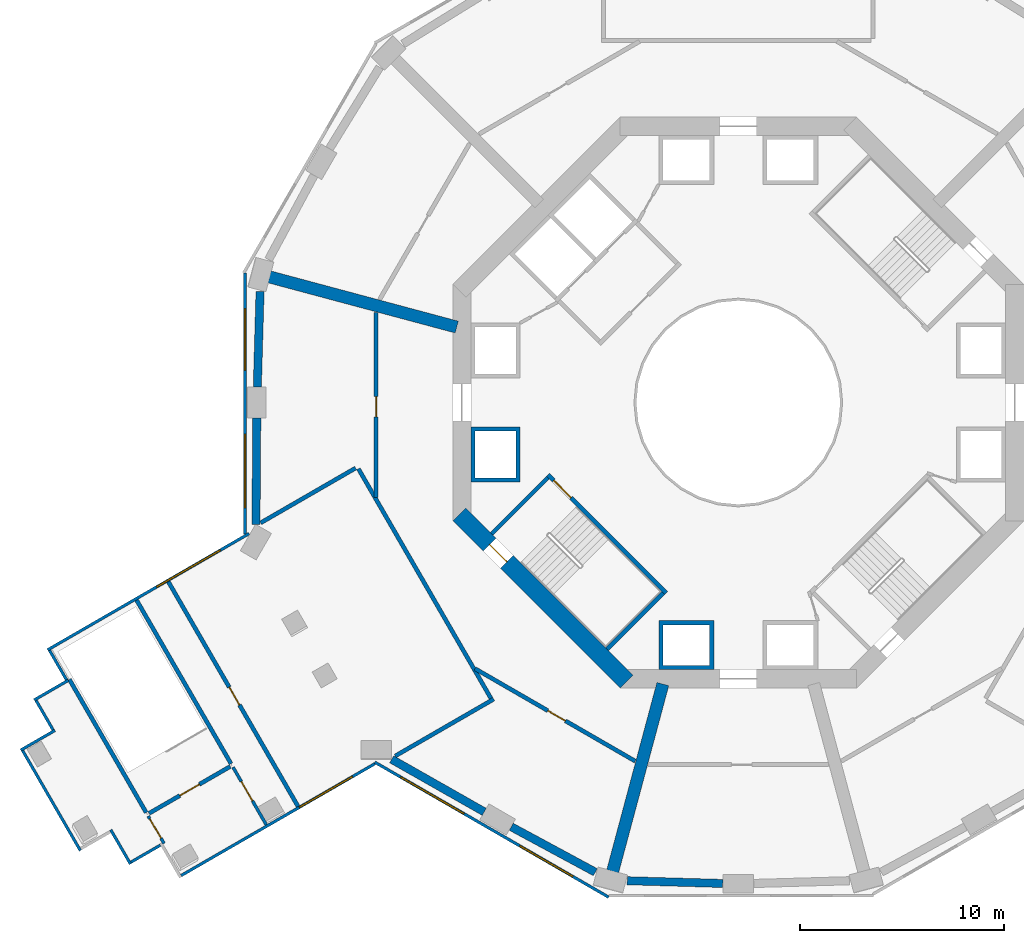
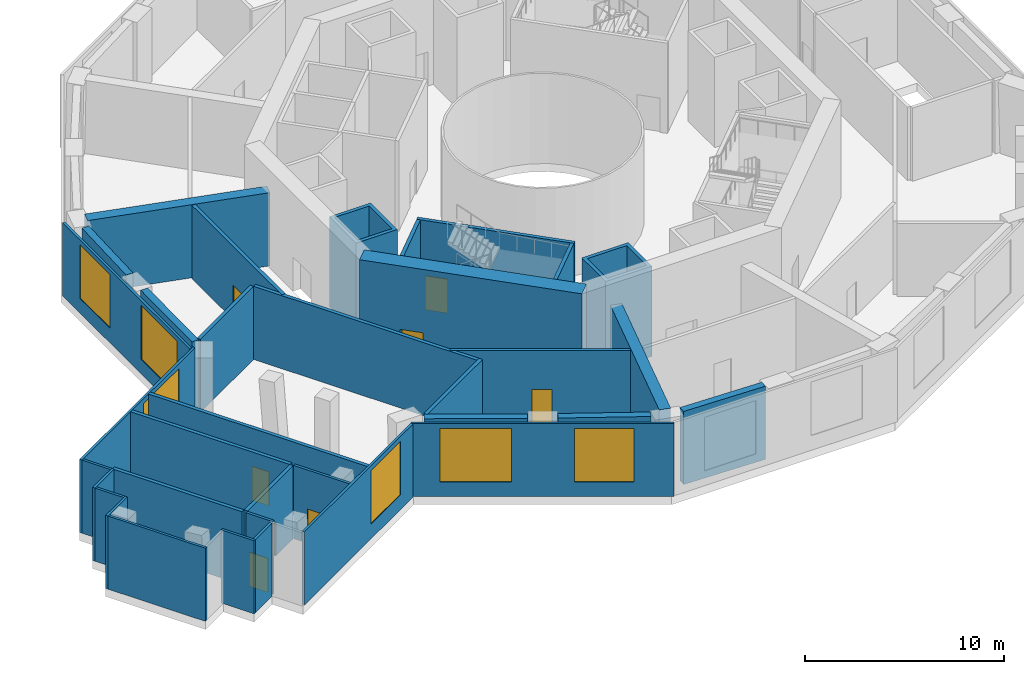
# One storey, part 2 of 12: 35 walls, 8 doors, 6 windows, 14 openings.
"""IFC4 building model written with IfcOpenShell, lengths in metres."""

import ifcopenshell
import ifcopenshell.guid

model = None  # the IFC model being written
_history = None  # IfcOwnerHistory: only IFC2X3 demands one
_inside = {}  # id of a spatial element -> (the spatial element, [elements in it])
_under = {}  # id of a project, library or spatial element -> (it, [spatial elements below it])
_declared = {}  # id of a project -> (the project, [libraries it declares])
_typed = {}  # id of a type object -> (the type object, [elements of that type])
_made_of = {}  # id of a material, layer set ... -> (it, [elements and type objects made of it])


def new_model(schema):
    """Start an empty IFC model of exactly this schema.

    Asked for "IFC4X3", IfcOpenShell would pick the latest addendum, in which some entities
    have other attributes; the version numbers below select the first issue.
    IFC2X3 requires an IfcOwnerHistory on every rooted entity: one is made here for all.
    """
    global model, _history
    if schema == "IFC4X3":
        model = ifcopenshell.file(schema_version=(4, 3, 0, 0))
    else:
        model = ifcopenshell.file(schema=schema)
    _inside.clear()
    _under.clear()
    _declared.clear()
    _typed.clear()
    _made_of.clear()
    _history = None
    if model.schema == "IFC2X3":
        org = make("IfcOrganization", Name="unknown")
        user = make(
            "IfcPersonAndOrganization",
            ThePerson=make("IfcPerson", FamilyName="unknown"),
            TheOrganization=org,
        )
        app = make(
            "IfcApplication",
            ApplicationDeveloper=org,
            Version="unknown",
            ApplicationFullName="unknown",
            ApplicationIdentifier="unknown",
        )
        _history = make(
            "IfcOwnerHistory",
            OwningUser=user,
            OwningApplication=app,
            ChangeAction="ADDED",
            CreationDate=0,
        )
    return model


def make(cls, **values):
    """One entity of the class cls with the attributes given. An attribute that is None is left unset."""
    return model.create_entity(
        cls, **{name: value for name, value in values.items() if value is not None}
    )


def rooted(cls, **values):
    """An entity with a GlobalId (a new one), such as an element, a storey or a relation."""
    return make(cls, GlobalId=ifcopenshell.guid.new(), OwnerHistory=_history, **values)


def si_unit(unit_type, name, prefix=None):
    """IfcSIUnit, for example si_unit("LENGTHUNIT", "METRE", prefix="MILLI")."""
    return make("IfcSIUnit", UnitType=unit_type, Prefix=prefix, Name=name)


def assignment(units):
    """IfcUnitAssignment: the units of a project."""
    return None if units is None else make("IfcUnitAssignment", Units=units)


def point(xyz):
    """IfcCartesianPoint."""
    return None if xyz is None else make("IfcCartesianPoint", Coordinates=xyz)


def direction(xyz):
    """IfcDirection."""
    return None if xyz is None else make("IfcDirection", DirectionRatios=xyz)


def frame(location, z_axis=None, x_axis=None):
    """IfcAxis2Placement3D, a coordinate frame: its origin and axes. An axis left out is left unset."""
    return make(
        "IfcAxis2Placement3D",
        Location=point(location),
        Axis=direction(z_axis),
        RefDirection=direction(x_axis),
    )


def frame_2d(location, x_axis=None):
    """IfcAxis2Placement2D, a coordinate frame in the plane: its origin and x axis."""
    return make(
        "IfcAxis2Placement2D", Location=point(location), RefDirection=direction(x_axis)
    )


def origin():
    """The frame at (0, 0, 0) with its axes left unset."""
    return frame((0.0, 0.0, 0.0))


def place(relative_to, where):
    """IfcLocalPlacement: puts the frame where relative to a parent placement (None: the world)."""
    return make(
        "IfcLocalPlacement", PlacementRelTo=relative_to, RelativePlacement=where
    )


def context(
    kind, dimensions, precision=None, world=None, true_north=None, identifier=None
):
    """IfcGeometricRepresentationContext, for example the 3D "Model" context."""
    return make(
        "IfcGeometricRepresentationContext",
        ContextIdentifier=identifier,
        ContextType=kind,
        CoordinateSpaceDimension=dimensions,
        Precision=precision,
        WorldCoordinateSystem=world,
        TrueNorth=true_north,
    )


def subcontext(parent, identifier, kind, view, scale=None):
    """IfcGeometricRepresentationSubContext, for example "Body" below "Model"."""
    return make(
        "IfcGeometricRepresentationSubContext",
        ContextIdentifier=identifier,
        ContextType=kind,
        ParentContext=parent,
        TargetScale=scale,
        TargetView=view,
    )


def project(units=None, contexts=None):
    """IfcProject with its units and contexts."""
    return rooted(
        "IfcProject",
        Name="project",
        RepresentationContexts=contexts,
        UnitsInContext=assignment(units),
    )


def spatial(cls, under=None, at=None, **own):
    """A site, building, storey or space (cls), placed at a placement, below another one or the project."""
    s = rooted(cls, ObjectPlacement=at, **own)
    if under is not None:
        _under.setdefault(under.id(), (under, []))[1].append(s)
    return s


def polyline(points):
    """IfcPolyline through the points."""
    return make("IfcPolyline", Points=[point(p) for p in points])


def profile(cls, at=None, kind="AREA", **sizes):
    """A parametric profile (cls). Its sizes go by their IFC names, for example OverallWidth=200.0."""
    return make(cls, ProfileType=kind, Position=at, **sizes)


def rectangle(**sizes):
    """IfcRectangleProfileDef."""
    return profile("IfcRectangleProfileDef", **sizes)


def outline(outer, holes=None, kind="AREA"):
    """IfcArbitraryClosedProfileDef: a profile drawn as a closed curve; with holes, ...WithVoids."""
    if holes is None:
        return make("IfcArbitraryClosedProfileDef", ProfileType=kind, OuterCurve=outer)
    return make(
        "IfcArbitraryProfileDefWithVoids",
        ProfileType=kind,
        OuterCurve=outer,
        InnerCurves=holes,
    )


def extrude(swept, where, along, depth):
    """IfcExtrudedAreaSolid: the profile swept, set in the frame where, extruded along a direction by depth."""
    return make(
        "IfcExtrudedAreaSolid",
        SweptArea=swept,
        Position=where,
        ExtrudedDirection=direction(along),
        Depth=depth,
    )


def shape(context_of_items, identifier, shape_type, items):
    """IfcShapeRepresentation: the items that make up one representation, for example the "Body"."""
    return make(
        "IfcShapeRepresentation",
        ContextOfItems=context_of_items,
        RepresentationIdentifier=identifier,
        RepresentationType=shape_type,
        Items=items,
    )


def material(Name=None, Category=None):
    """IfcMaterial."""
    return make("IfcMaterial", Name=Name, Category=Category)


def layer(
    of_material, thickness, ventilated=None, Name=None, Category=None, Priority=None
):
    """IfcMaterialLayer: one layer of a wall or slab, of a material (None: an air gap)."""
    return make(
        "IfcMaterialLayer",
        Material=of_material,
        LayerThickness=thickness,
        IsVentilated=ventilated,
        Name=Name,
        Category=Category,
        Priority=Priority,
    )


def layer_set(layers, Name=None):
    """IfcMaterialLayerSet."""
    return make("IfcMaterialLayerSet", MaterialLayers=layers, LayerSetName=Name)


def made_of(thing, what):
    """Note that an element or type object is made of a material, layer set ...; save() writes the relation."""
    if what is not None:
        _made_of.setdefault(what.id(), (what, []))[1].append(thing)
    return thing


def type_object(cls, material=None, **own):
    """A type object (cls), such as IfcWallType, which elements share."""
    return made_of(rooted(cls, **own), material)


def element(
    cls,
    number,
    at=None,
    inside=None,
    cuts=None,
    type_object=None,
    material=None,
    context=None,
    identifier="Body",
    shape_type=None,
    held_by="IfcProductDefinitionShape",
    body=None,
    shapes=None,
    **own,
):
    """One element of the class cls, such as IfcWall. Its Tag is "e" and its number.

    at: its placement. inside: the storey or other place that contains it. cuts: it is an
    opening in that element (IfcRelVoidsElement). A single representation is given by context,
    identifier, shape_type and body (its items); several are given by shapes. held_by: the class
    of the entity that holds the representations. save() writes the other relations.
    """
    e = rooted(cls, Tag="e%d" % number, ObjectPlacement=at, **own)
    if body is not None:
        shapes = [shape(context, identifier, shape_type, body)]
    if shapes is not None:
        e.Representation = make(held_by, Representations=shapes)
    if inside is not None:
        _inside.setdefault(inside.id(), (inside, []))[1].append(e)
    if cuts is not None:
        rooted(
            "IfcRelVoidsElement", RelatingBuildingElement=cuts, RelatedOpeningElement=e
        )
    if type_object is not None:
        _typed.setdefault(type_object.id(), (type_object, []))[1].append(e)
    return made_of(e, material)


def fill(opening, filler):
    """IfcRelFillsElement: the door or window that sits in an opening."""
    return rooted(
        "IfcRelFillsElement",
        RelatingOpeningElement=opening,
        RelatedBuildingElement=filler,
    )


def aggregate(whole, parts):
    """IfcRelAggregates: a whole, such as a stair, and the parts it consists of."""
    return rooted("IfcRelAggregates", RelatingObject=whole, RelatedObjects=parts)


def save(model, path):
    """Write the relations noted so far, then the file.

    IfcRelAggregates (storeys below a building ...), IfcRelContainedInSpatialStructure (elements
    in a storey), IfcRelDefinesByType, IfcRelAssociatesMaterial and IfcRelDeclares: one each for
    every whole, place, type object, material and project.
    """
    for whole, parts in _under.values():
        aggregate(whole, parts)
    for where, things in _inside.values():
        rooted(
            "IfcRelContainedInSpatialStructure",
            RelatedElements=things,
            RelatingStructure=where,
        )
    for kind, things in _typed.values():
        rooted("IfcRelDefinesByType", RelatedObjects=things, RelatingType=kind)
    for what, things in _made_of.values():
        rooted("IfcRelAssociatesMaterial", RelatedObjects=things, RelatingMaterial=what)
    for by, libraries in _declared.values():
        rooted("IfcRelDeclares", RelatingContext=by, RelatedDefinitions=libraries)
    model.write(path)


model = new_model("IFC4")

# Units and contexts
model_context = context("Model", 3, precision=1e-05, world=origin(), true_north=direction((0.0, 1.0)))
body_context = subcontext(model_context, "Body", "Model", "MODEL_VIEW")
ifc_project = project(units=[si_unit("LENGTHUNIT", "METRE"), si_unit("AREAUNIT", "SQUARE_METRE"), si_unit("VOLUMEUNIT", "CUBIC_METRE"), si_unit("PLANEANGLEUNIT", "RADIAN"), si_unit("MASSUNIT", "GRAM", prefix="KILO")], contexts=[model_context])

# Site, building, storey
site_placement = place(None, origin())
site = spatial("IfcSite", under=ifc_project, at=site_placement, CompositionType="ELEMENT")
building_placement = place(site_placement, origin())
building = spatial("IfcBuilding", under=site, at=building_placement, Name="Verdalira Terraces Hotel", CompositionType="ELEMENT")
storey_placement = place(building_placement, frame((0.0, 0.0, 28.0)))
storey = spatial("IfcBuildingStorey", under=building, at=storey_placement, Name="L05", CompositionType="ELEMENT", Elevation=28.0)

# Walls
ifc_material_1 = material(Name="Concrete C70", Category="concrete")
ifc_layer_1 = layer(ifc_material_1, 0.39990234375)
ifc_layer_set_1 = layer_set([ifc_layer_1], Name="Belt wall 400 C70")
wall_type_1 = type_object("IfcWallType", Name="Belt wall 400 C70", PredefinedType="SHEAR", material=ifc_layer_set_1)
wall_1_placement = place(storey_placement, frame((-23.452148, 5.444336, 0.0), z_axis=(0.0, 0.0, 1.0), x_axis=(-0.028666908, -0.99958902, 0.0)))
element("IfcWall", 1, at=wall_1_placement, inside=storey, type_object=wall_type_1, Name="Belt wall BW-05-5", PredefinedType="SHEAR", context=body_context, shape_type="SweptSolid", body=[
    extrude(rectangle(XDim=4.684082, YDim=0.399902, at=frame_2d((2.342041, 0.0))), origin(), (0.0, 0.0, 1.0), 4.5),
])
wall_2_placement = place(storey_placement, frame((-23.61377, -0.753174, 0.0), z_axis=(0.0, 0.0, 1.0), x_axis=(-0.00729771, -0.999973371, 0.0)))
element("IfcWall", 2, at=wall_2_placement, inside=storey, type_object=wall_type_1, Name="Belt wall BW-05-6", PredefinedType="SHEAR", context=body_context, shape_type="SweptSolid", body=[
    extrude(rectangle(XDim=5.218994, YDim=0.399902, at=frame_2d((2.609375, 0.0))), origin(), (0.0, 0.0, 1.0), 4.5),
])
wall_3_placement = place(storey_placement, frame((-16.997803, -17.497314, 0.0), z_axis=(0.0, 0.0, 1.0), x_axis=(0.869667461, -0.493638034, 0.0)))
element("IfcWall", 3, at=wall_3_placement, inside=storey, type_object=wall_type_1, Name="Belt wall BW-05-7", PredefinedType="SHEAR", context=body_context, shape_type="SweptSolid", body=[
    extrude(rectangle(XDim=5.21875, YDim=0.399902, at=frame_2d((2.609375, 0.0))), origin(), (0.0, 0.0, 1.0), 4.5),
])
wall_4_placement = place(storey_placement, frame((-11.133057, -20.807617, 0.0), z_axis=(0.0, 0.0, 1.0), x_axis=(0.879988629, -0.474994751, 0.0)))
element("IfcWall", 4, at=wall_4_placement, inside=storey, type_object=wall_type_1, Name="Belt wall BW-05-8", PredefinedType="SHEAR", context=body_context, shape_type="SweptSolid", body=[
    extrude(rectangle(XDim=4.683838, YDim=0.399902, at=frame_2d((2.341797, 0.0))), origin(), (0.0, 0.0, 1.0), 4.5),
])
wall_5_placement = place(storey_placement, frame((-5.444336, -23.452148, 0.0), z_axis=(0.0, 0.0, 1.0), x_axis=(0.99958902, -0.028666908, 0.0)))
element("IfcWall", 5, at=wall_5_placement, inside=storey, type_object=wall_type_1, Name="Belt wall BW-05-9", PredefinedType="SHEAR", context=body_context, shape_type="SweptSolid", body=[
    extrude(rectangle(XDim=4.684082, YDim=0.399902, at=frame_2d((2.342041, 0.0))), origin(), (0.0, 0.0, 1.0), 4.5),
])
ifc_material_2 = material(Name="Concrete C50", Category="concrete")
ifc_layer_2 = layer(ifc_material_2, 0.199951171875)
ifc_layer_set_2 = layer_set([ifc_layer_2], Name="Core RC wall 200 C50")
wall_type_2 = type_object("IfcWallType", Name="Core RC wall 200 C50", PredefinedType="SOLIDWALL", material=ifc_layer_set_2)
wall_6_placement = place(storey_placement, origin())
element("IfcWall", 6, at=wall_6_placement, inside=storey, type_object=wall_type_2, Name="L05 shaft wall W2", PredefinedType="SOLIDWALL", context=body_context, shape_type="SweptSolid", body=[
    extrude(outline(polyline([(-10.699951, -3.899902), (-13.100098, -3.899902), (-13.100098, -1.199951), (-10.699951, -1.199951), (-10.699951, -3.899902)]), holes=[polyline([(-12.899902, -1.399902), (-12.899902, -3.699951), (-10.899902, -3.699951), (-10.899902, -1.399902), (-12.899902, -1.399902)])]), origin(), (0.0, 0.0, 1.0), 5.550049),
])
wall_7_placement = place(storey_placement, origin())
element("IfcWall", 7, at=wall_7_placement, inside=storey, type_object=wall_type_2, Name="L05 shaft wall S1", PredefinedType="SOLIDWALL", context=body_context, shape_type="SweptSolid", body=[
    extrude(outline(polyline([(-1.199951, -13.100098), (-3.899902, -13.100098), (-3.899902, -10.699951), (-1.199951, -10.699951), (-1.199951, -13.100098)]), holes=[polyline([(-3.699951, -10.899902), (-3.699951, -12.899902), (-1.399902, -12.899902), (-1.399902, -10.899902), (-3.699951, -10.899902)])]), origin(), (0.0, 0.0, 1.0), 5.550049),
])

# Wall, opening, door
wall_8_placement = place(storey_placement, frame((-3.5354, -9.33374, 0.0), z_axis=(0.0, 0.0, 1.0), x_axis=(-0.707106781, 0.707106781, 0.0)))
wall_8 = element("IfcWall", 8, at=wall_8_placement, inside=storey, type_object=wall_type_2, Name="L05 stair ST2 front wall", PredefinedType="SOLIDWALL", context=body_context, shape_type="SweptSolid", body=[
    extrude(rectangle(XDim=8.200195, YDim=0.199951, at=frame_2d((4.100098, 0.0))), origin(), (0.0, 0.0, 1.0), 5.550049),
])
opening_1_placement = place(wall_8_placement, frame((6.600098, 0.0, 0.0)))
opening_1 = element("IfcOpeningElement", 9, at=opening_1_placement, cuts=wall_8, Name="Opening L05-804", PredefinedType="OPENING", context=body_context, shape_type="SweptSolid", body=[
    extrude(rectangle(XDim=1.199951, YDim=2.100098, at=frame_2d((0.600098, 1.050049))), frame((0.0, 0.109863, 0.0), z_axis=(0.0, -1.0, 0.0), x_axis=(1.0, 0.0, 0.0)), (0.0, 0.0, 1.0), 0.219971),
])
ifc_material_3 = material(Name="Steel fire door", Category="steel")
door_type_1 = type_object("IfcDoorType", Name="Stair door 1200 x 2100", OperationType="NOTDEFINED", PredefinedType="DOOR", material=ifc_material_3)
door_1_placement = place(opening_1_placement, origin())
door_1 = element("IfcDoor", 10, at=door_1_placement, inside=storey, type_object=door_type_1, Name="Stair door ST2 L05", OperationType="SINGLE_SWING_RIGHT", OverallHeight=2.10009765625, OverallWidth=1.199951171875, PredefinedType="DOOR", context=body_context, shape_type="SweptSolid", body=[
    extrude(rectangle(XDim=1.199951, YDim=2.100098, at=frame_2d((0.600098, 1.050049))), frame((0.0, 0.024902, 0.0), z_axis=(0.0, -1.0, 0.0), x_axis=(1.0, 0.0, 0.0)), (0.0, 0.0, 1.0), 0.050049),
])
fill(opening_1, door_1)

# Walls
for number, where, z_axis, x_axis, name in (
    (11, (-9.33374, -3.677002, 0.0), (0.0, 0.0, 1.0), (-0.707106781, -0.707106781, 0.0), "L05 stair ST2 end wall 1"),
    (12, (-3.677002, -9.33374, 0.0), (0.0, 0.0, 1.0), (-0.707106781, -0.707106781, 0.0), "L05 stair ST2 end wall 2"),
):
    element("IfcWall", number, at=place(storey_placement, frame(where, z_axis=z_axis, x_axis=x_axis)), inside=storey, type_object=wall_type_2, Name=name, PredefinedType="SOLIDWALL", context=body_context, shape_type="SweptSolid", body=[
        extrude(rectangle(XDim=3.900146, YDim=0.199951, at=frame_2d((1.950195, 0.0))), origin(), (0.0, 0.0, 1.0), 5.550049),
    ])

# Wall, opening, door
ifc_material_4 = material(Name="Concrete C70", Category="concrete")
ifc_layer_3 = layer(ifc_material_4, 0.89990234375)
ifc_layer_set_3 = layer_set([ifc_layer_3], Name="Core wall 900 C70")
wall_type_3 = type_object("IfcWallType", Name="Core wall 900 C70", PredefinedType="SHEAR", material=ifc_layer_set_3)
wall_9_placement = place(storey_placement, frame((-13.681885, -5.480713, 0.0), z_axis=(0.0, 0.0, 1.0), x_axis=(0.707106781, -0.707106781, 0.0)))
wall_9 = element("IfcWall", 13, at=wall_9_placement, inside=storey, type_object=wall_type_3, Name="Core wall CW-L05-6", PredefinedType="SHEAR", context=body_context, shape_type="SweptSolid", body=[
    extrude(rectangle(XDim=11.598145, YDim=0.899902, at=frame_2d((5.799072, 0.0))), origin(), (0.0, 0.0, 1.0), 6.0),
])
opening_2_placement = place(wall_9_placement, frame((2.099121, 0.0, 0.0)))
opening_2 = element("IfcOpeningElement", 14, at=opening_2_placement, cuts=wall_9, Name="Opening L05-811", PredefinedType="OPENING", context=body_context, shape_type="SweptSolid", body=[
    extrude(rectangle(XDim=1.199951, YDim=2.100098, at=frame_2d((0.600098, 1.050049))), frame((0.0, 0.459961, 0.0), z_axis=(0.0, -1.0, 0.0), x_axis=(1.0, 0.0, 0.0)), (0.0, 0.0, 1.0), 0.919922),
])
door_2_placement = place(opening_2_placement, origin())
door_2 = element("IfcDoor", 15, at=door_2_placement, inside=storey, type_object=door_type_1, Name="Stair exit door ST2 L05", OperationType="SINGLE_SWING_LEFT", OverallHeight=2.10009765625, OverallWidth=1.199951171875, PredefinedType="DOOR", context=body_context, shape_type="SweptSolid", body=[
    extrude(rectangle(XDim=1.199951, YDim=2.100098, at=frame_2d((0.600098, 1.050049))), frame((0.0, 0.024902, 0.0), z_axis=(0.0, -1.0, 0.0), x_axis=(1.0, 0.0, 0.0)), (0.0, 0.0, 1.0), 0.050049),
])
fill(opening_2, door_2)

ifc_material_5 = material(Name="Concrete block masonry", Category="masonry")
ifc_layer_4 = layer(ifc_material_5, 0.199951171875)
ifc_layer_set_4 = layer_set([ifc_layer_4], Name="Fire-rated masonry wall 200 mm")
wall_type_4 = type_object("IfcWallType", Name="Fire-rated masonry wall 200 mm", PredefinedType="SOLIDWALL", material=ifc_layer_set_4)
wall_10_placement = place(storey_placement, frame((-27.948242, -8.791992, 0.0), z_axis=(0.0, 0.0, 1.0), x_axis=(0.499991053, -0.866030569, 0.0)))
wall_10 = element("IfcWall", 16, at=wall_10_placement, inside=storey, type_object=wall_type_4, Name="Plant and kitchen enclosure wall", PredefinedType="SOLIDWALL", context=body_context, shape_type="SweptSolid", body=[
    extrude(rectangle(XDim=12.719971, YDim=0.199951, at=frame_2d((6.359863, 0.0))), origin(), (0.0, 0.0, 1.0), 4.5),
])
opening_3_placement = place(wall_10_placement, frame((5.969971, 0.0, 0.0)))
opening_3 = element("IfcOpeningElement", 17, at=opening_3_placement, cuts=wall_10, Name="Opening L05-D04", PredefinedType="OPENING", context=body_context, shape_type="SweptSolid", body=[
    extrude(rectangle(XDim=1.0, YDim=2.100098, at=frame_2d((0.5, 1.050049))), frame((0.0, 0.109863, 0.0), z_axis=(0.0, -1.0, 0.0), x_axis=(1.0, 0.0, 0.0)), (0.0, 0.0, 1.0), 0.219971),
])
ifc_material_6 = material(Name="Steel fire door", Category="steel")
door_type_2 = type_object("IfcDoorType", Name="Fire door 1000 x 2100", OperationType="SINGLE_SWING_LEFT", PredefinedType="DOOR", material=ifc_material_6)
door_3_placement = place(opening_3_placement, origin())
door_3 = element("IfcDoor", 18, at=door_3_placement, inside=storey, type_object=door_type_2, Name="Refuge lobby door", OperationType="SINGLE_SWING_RIGHT", OverallHeight=2.10009765625, OverallWidth=1.0, PredefinedType="DOOR", context=body_context, shape_type="SweptSolid", body=[
    extrude(rectangle(XDim=1.0, YDim=2.100098, at=frame_2d((0.5, 1.050049))), frame((0.0, 0.024902, 0.0), z_axis=(0.0, -1.0, 0.0), x_axis=(1.0, 0.0, 0.0)), (0.0, 0.0, 1.0), 0.050049),
])
fill(opening_3, door_3)

# Wall
wall_11_placement = place(storey_placement, frame((-18.765869, -3.213379, 0.0), z_axis=(0.0, 0.0, 1.0), x_axis=(-0.866015419, -0.500017293, 0.0)))
element("IfcWall", 19, at=wall_11_placement, inside=storey, type_object=wall_type_4, Name="Plant and kitchen enclosure wall", PredefinedType="SOLIDWALL", context=body_context, shape_type="SweptSolid", body=[
    extrude(rectangle(XDim=5.375732, YDim=0.199951, at=frame_2d((2.687988, 0.0))), origin(), (0.0, 0.0, 1.0), 4.5),
])

# Wall, opening, door
wall_12_placement = place(storey_placement, frame((-17.758301, -4.658203, 0.0), z_axis=(0.0, 0.0, 1.0), x_axis=(0.0, 1.0, 0.0)))
wall_12 = element("IfcWall", 20, at=wall_12_placement, inside=storey, type_object=wall_type_4, Name="Plant and kitchen enclosure wall", PredefinedType="SOLIDWALL", context=body_context, shape_type="SweptSolid", body=[
    extrude(rectangle(XDim=9.074951, YDim=0.199951, at=frame_2d((4.537598, 0.0))), origin(), (0.0, 0.0, 1.0), 4.5),
])
opening_4_placement = place(wall_12_placement, frame((3.949951, 0.0, 0.0)))
opening_4 = element("IfcOpeningElement", 21, at=opening_4_placement, cuts=wall_12, Name="Opening L05-D05", PredefinedType="OPENING", context=body_context, shape_type="SweptSolid", body=[
    extrude(rectangle(XDim=1.0, YDim=2.100098, at=frame_2d((0.5, 1.050049))), frame((0.0, 0.109863, 0.0), z_axis=(0.0, -1.0, 0.0), x_axis=(1.0, 0.0, 0.0)), (0.0, 0.0, 1.0), 0.219971),
])
door_4_placement = place(opening_4_placement, origin())
door_4 = element("IfcDoor", 22, at=door_4_placement, inside=storey, type_object=door_type_2, Name="Electrical switch room door", OperationType="SINGLE_SWING_LEFT", OverallHeight=2.10009765625, OverallWidth=1.0, PredefinedType="DOOR", context=body_context, shape_type="SweptSolid", body=[
    extrude(rectangle(XDim=1.0, YDim=2.100098, at=frame_2d((0.5, 1.050049))), frame((0.0, 0.024902, 0.0), z_axis=(0.0, -1.0, 0.0), x_axis=(1.0, 0.0, 0.0)), (0.0, 0.0, 1.0), 0.050049),
])
fill(opening_4, door_4)

# Walls
wall_13_placement = place(storey_placement, frame((-16.821289, -17.333008, 0.0), z_axis=(0.0, 0.0, 1.0), x_axis=(0.866003288, 0.500038303, 0.0)))
element("IfcWall", 23, at=wall_13_placement, inside=storey, type_object=wall_type_4, Name="Plant and kitchen enclosure wall", PredefinedType="SOLIDWALL", context=body_context, shape_type="SweptSolid", body=[
    extrude(rectangle(XDim=5.575684, YDim=0.199951, at=frame_2d((2.787842, 0.0))), origin(), (0.0, 0.0, 1.0), 4.5),
])
wall_14_placement = place(storey_placement, frame((-12.12915, -14.508301, 0.0), z_axis=(0.0, 0.0, 1.0), x_axis=(-0.500000982, 0.866024837, 0.0)))
element("IfcWall", 24, at=wall_14_placement, inside=storey, type_object=wall_type_4, Name="Plant and kitchen enclosure wall", PredefinedType="SOLIDWALL", context=body_context, shape_type="SweptSolid", body=[
    extrude(rectangle(XDim=13.0, YDim=0.199951, at=frame_2d((6.5, 0.0))), origin(), (0.0, 0.0, 1.0), 4.5),
])

# Wall, opening, door
wall_15_placement = place(storey_placement, frame((-5.054199, -17.587402, 0.0), z_axis=(0.0, 0.0, 1.0), x_axis=(-0.866031025, 0.499990264, 0.0)))
wall_15 = element("IfcWall", 25, at=wall_15_placement, inside=storey, type_object=wall_type_4, Name="Plant and kitchen enclosure wall", PredefinedType="SOLIDWALL", context=body_context, shape_type="SweptSolid", body=[
    extrude(rectangle(XDim=9.074951, YDim=0.199951, at=frame_2d((4.537598, 0.0))), origin(), (0.0, 0.0, 1.0), 4.5),
])
opening_5_placement = place(wall_15_placement, frame((3.949951, 0.0, 0.0)))
opening_5 = element("IfcOpeningElement", 26, at=opening_5_placement, cuts=wall_15, Name="Opening L05-D10", PredefinedType="OPENING", context=body_context, shape_type="SweptSolid", body=[
    extrude(rectangle(XDim=1.0, YDim=2.100098, at=frame_2d((0.5, 1.050049))), frame((0.0, 0.109863, 0.0), z_axis=(0.0, -1.0, 0.0), x_axis=(1.0, 0.0, 0.0)), (0.0, 0.0, 1.0), 0.219971),
])
door_5_placement = place(opening_5_placement, origin())
door_5 = element("IfcDoor", 27, at=door_5_placement, inside=storey, type_object=door_type_2, Name="Pump room door", OperationType="SINGLE_SWING_RIGHT", OverallHeight=2.10009765625, OverallWidth=1.0, PredefinedType="DOOR", context=body_context, shape_type="SweptSolid", body=[
    extrude(rectangle(XDim=1.0, YDim=2.100098, at=frame_2d((0.5, 1.050049))), frame((0.0, 0.024902, 0.0), z_axis=(0.0, -1.0, 0.0), x_axis=(1.0, 0.0, 0.0)), (0.0, 0.0, 1.0), 0.050049),
])
fill(opening_5, door_5)

ifc_material_7 = material(Name="Gypsum board partition on steel stud", Category="steel")
ifc_layer_5 = layer(ifc_material_7, 0.14990234375)
ifc_layer_set_5 = layer_set([ifc_layer_5], Name="Fire-rated partition 150 mm")
wall_type_5 = type_object("IfcWallType", Name="Fire-rated partition 150 mm", PredefinedType="PARTITIONING", material=ifc_layer_set_5)
wall_16_placement = place(storey_placement, frame((-28.161621, -21.622803, 0.0), z_axis=(0.0, 0.0, 1.0), x_axis=(-0.499877454, 0.866096144, 0.0)))
wall_16 = element("IfcWall", 28, at=wall_16_placement, inside=storey, type_object=wall_type_5, Name="Partition", PredefinedType="PARTITIONING", context=body_context, shape_type="SweptSolid", body=[
    extrude(rectangle(XDim=1.54541, YDim=0.149902, at=frame_2d((0.772705, 0.0))), origin(), (0.0, 0.0, 1.0), 4.5),
])
opening_6_placement = place(wall_16_placement, frame((0.29541, 0.0, 0.0)))
opening_6 = element("IfcOpeningElement", 29, at=opening_6_placement, cuts=wall_16, Name="Opening L05-D01", PredefinedType="OPENING", context=body_context, shape_type="SweptSolid", body=[
    extrude(rectangle(XDim=1.100098, YDim=2.100098, at=frame_2d((0.550049, 1.050049))), frame((0.0, 0.084961, 0.0), z_axis=(0.0, -1.0, 0.0), x_axis=(1.0, 0.0, 0.0)), (0.0, 0.0, 1.0), 0.169922),
])
ifc_material_8 = material(Name="Steel fire door", Category="steel")
door_type_3 = type_object("IfcDoorType", Name="Stair door 1100 x 2100", OperationType="SINGLE_SWING_LEFT", PredefinedType="DOOR", material=ifc_material_8)
door_6_placement = place(opening_6_placement, origin())
door_6 = element("IfcDoor", 30, at=door_6_placement, inside=storey, type_object=door_type_3, Name="Stair door Stair vestibule PS2", OperationType="SINGLE_SWING_LEFT", OverallHeight=2.10009765625, OverallWidth=1.10009765625, PredefinedType="DOOR", context=body_context, shape_type="SweptSolid", body=[
    extrude(rectangle(XDim=1.100098, YDim=2.100098, at=frame_2d((0.550049, 1.050049))), frame((0.0, 0.024902, 0.0), z_axis=(0.0, -1.0, 0.0), x_axis=(1.0, 0.0, 0.0)), (0.0, 0.0, 1.0), 0.050049),
])
fill(opening_6, door_6)

wall_17_placement = place(storey_placement, frame((-24.777344, -17.884521, 0.0), z_axis=(0.0, 0.0, 1.0), x_axis=(0.499996863, -0.866027215, 0.0)))
wall_17 = element("IfcWall", 31, at=wall_17_placement, inside=storey, type_object=wall_type_5, Name="Partition", PredefinedType="PARTITIONING", context=body_context, shape_type="SweptSolid", body=[
    extrude(rectangle(XDim=3.260254, YDim=0.149902, at=frame_2d((1.630127, 0.0))), origin(), (0.0, 0.0, 1.0), 4.5),
])
opening_7_placement = place(wall_17_placement, frame((0.810303, 0.0, 0.0)))
opening_7 = element("IfcOpeningElement", 32, at=opening_7_placement, cuts=wall_17, Name="Opening L05-D03", PredefinedType="OPENING", context=body_context, shape_type="SweptSolid", body=[
    extrude(rectangle(XDim=1.100098, YDim=2.100098, at=frame_2d((0.550049, 1.050049))), frame((0.0, 0.084961, 0.0), z_axis=(0.0, -1.0, 0.0), x_axis=(1.0, 0.0, 0.0)), (0.0, 0.0, 1.0), 0.169922),
])
door_7_placement = place(opening_7_placement, origin())
door_7 = element("IfcDoor", 33, at=door_7_placement, inside=storey, type_object=door_type_3, Name="Stair door Stair approach corridor", OperationType="SINGLE_SWING_LEFT", OverallHeight=2.10009765625, OverallWidth=1.10009765625, PredefinedType="DOOR", context=body_context, shape_type="SweptSolid", body=[
    extrude(rectangle(XDim=1.100098, YDim=2.100098, at=frame_2d((0.550049, 1.050049))), frame((0.0, 0.024902, 0.0), z_axis=(0.0, -1.0, 0.0), x_axis=(1.0, 0.0, 0.0)), (0.0, 0.0, 1.0), 0.050049),
])
fill(opening_7, door_7)

# Walls
ifc_material_9 = material(Name="Concrete C70", Category="concrete")
ifc_layer_6 = layer(ifc_material_9, 0.60009765625)
ifc_layer_set_6 = layer_set([ifc_layer_6], Name="Outrigger wall 600 C70")
wall_type_6 = type_object("IfcWallType", Name="Outrigger wall 600 C70", PredefinedType="SHEAR", material=ifc_layer_set_6)
for number, where, z_axis, x_axis, name in (
    (34, (-13.806885, 3.699463, 0.0), (0.0, 0.0, 1.0), (-0.965923645, 0.258827184, 0.0), "Outrigger wall OW-05-2"),
    (35, (-3.699463, -13.806885, 0.0), (0.0, 0.0, 1.0), (-0.258827184, -0.965923645, 0.0), "Outrigger wall OW-05-3"),
):
    element("IfcWall", number, at=place(storey_placement, frame(where, z_axis=z_axis, x_axis=x_axis)), inside=storey, type_object=wall_type_6, Name=name, PredefinedType="SHEAR", context=body_context, shape_type="SweptSolid", body=[
        extrude(rectangle(XDim=9.510742, YDim=0.600098, at=frame_2d((4.755371, 0.0))), origin(), (0.0, 0.0, 1.0), 4.5),
    ])
ifc_material_10 = material(Name="Concrete C50", Category="concrete")
ifc_layer_7 = layer(ifc_material_10, 0.199951171875)
ifc_layer_set_7 = layer_set([ifc_layer_7], Name="Stair enclosure wall 200 mm")
wall_type_7 = type_object("IfcWallType", Name="Stair enclosure wall 200 mm", PredefinedType="SOLIDWALL", material=ifc_layer_set_7)
wall_18_placement = place(storey_placement, frame((-32.806641, -13.577148, 0.0), z_axis=(0.0, 0.0, 1.0), x_axis=(0.50000534, -0.866022321, 0.0)))
element("IfcWall", 36, at=wall_18_placement, inside=storey, type_object=wall_type_7, Name="Stair enclosure wall", PredefinedType="SOLIDWALL", context=body_context, shape_type="SweptSolid", body=[
    extrude(rectangle(XDim=7.54541, YDim=0.199951, at=frame_2d((3.772705, 0.0))), origin(), (0.0, 0.0, 1.0), 4.5),
])

# Wall, opening, door
wall_19_placement = place(storey_placement, frame((-24.913818, -17.848145, 0.0), z_axis=(0.0, 0.0, 1.0), x_axis=(-0.86601677, -0.500014953, 0.0)))
wall_19 = element("IfcWall", 37, at=wall_19_placement, inside=storey, type_object=wall_type_7, Name="Stair enclosure wall", PredefinedType="SOLIDWALL", context=body_context, shape_type="SweptSolid", body=[
    extrude(rectangle(XDim=4.599854, YDim=0.199951, at=frame_2d((2.299805, 0.0))), origin(), (0.0, 0.0, 1.0), 4.5),
])
opening_8_placement = place(wall_19_placement, frame((1.75, 0.0, 0.0)))
opening_8 = element("IfcOpeningElement", 38, at=opening_8_placement, cuts=wall_19, Name="Opening L05-D02", PredefinedType="OPENING", context=body_context, shape_type="SweptSolid", body=[
    extrude(rectangle(XDim=1.100098, YDim=2.100098, at=frame_2d((0.550049, 1.050049))), frame((0.0, 0.109863, 0.0), z_axis=(0.0, -1.0, 0.0), x_axis=(1.0, 0.0, 0.0)), (0.0, 0.0, 1.0), 0.219971),
])
door_8_placement = place(opening_8_placement, origin())
door_8 = element("IfcDoor", 39, at=door_8_placement, inside=storey, type_object=door_type_3, Name="Stair door Stair lobby PS2", OperationType="SINGLE_SWING_RIGHT", OverallHeight=2.10009765625, OverallWidth=1.10009765625, PredefinedType="DOOR", context=body_context, shape_type="SweptSolid", body=[
    extrude(rectangle(XDim=1.100098, YDim=2.100098, at=frame_2d((0.550049, 1.050049))), frame((0.0, 0.024902, 0.0), z_axis=(0.0, -1.0, 0.0), x_axis=(1.0, 0.0, 0.0)), (0.0, 0.0, 1.0), 0.050049),
])
fill(opening_8, door_8)

# Wall
wall_20_placement = place(storey_placement, frame((-24.877197, -17.71167, 0.0), z_axis=(0.0, 0.0, 1.0), x_axis=(-0.499984148, 0.866034555, 0.0)))
element("IfcWall", 40, at=wall_20_placement, inside=storey, type_object=wall_type_7, Name="Stair enclosure wall", PredefinedType="SOLIDWALL", context=body_context, shape_type="SweptSolid", body=[
    extrude(rectangle(XDim=9.26001, YDim=0.199951, at=frame_2d((4.629883, 0.0))), origin(), (0.0, 0.0, 1.0), 4.5),
])

# Wall, opening, window
ifc_material_11 = material(Name="Concrete C40", Category="concrete")
ifc_layer_8 = layer(ifc_material_11, 0.139892578125)
ifc_layer_set_8 = layer_set([ifc_layer_8], Name="Terracotta clad concrete wall C40 140 mm")
wall_type_8 = type_object("IfcWallType", Name="Terracotta clad concrete wall C40 140 mm", PredefinedType="SOLIDWALL", material=ifc_layer_set_8)
wall_21_placement = place(storey_placement, frame((-23.995361, -6.428955, 0.0), z_axis=(0.0, 0.0, 1.0), x_axis=(-0.866018753, -0.500011519, 0.0)))
wall_21 = element("IfcWall", 41, at=wall_21_placement, inside=storey, type_object=wall_type_8, Name="Podium facade wall", PredefinedType="SOLIDWALL", context=body_context, shape_type="SweptSolid", body=[
    extrude(rectangle(XDim=11.405029, YDim=0.139893, at=frame_2d((5.702637, 0.0))), origin(), (0.0, 0.0, 1.0), 4.5),
])
opening_9_placement = place(wall_21_placement, frame((1.623047, 0.0, 0.899902)))
opening_9 = element("IfcOpeningElement", 42, at=opening_9_placement, cuts=wall_21, Name="Opening WL", PredefinedType="OPENING", context=body_context, shape_type="SweptSolid", body=[
    extrude(rectangle(XDim=3.600098, YDim=3.300049, at=frame_2d((1.800049, 1.649902))), frame((0.0, 0.079834, 0.0), z_axis=(0.0, -1.0, 0.0), x_axis=(1.0, 0.0, 0.0)), (0.0, 0.0, 1.0), 0.159912),
])
ifc_material_12 = material(Name="Terracotta louvre", Category="masonry")
window_type_1 = type_object("IfcWindowType", Name="Plant louvre 3600 x 3300", PartitioningType="SINGLE_PANEL", PredefinedType="WINDOW", material=ifc_material_12)
window_1_placement = place(opening_9_placement, origin())
window_1 = element("IfcWindow", 43, at=window_1_placement, inside=storey, type_object=window_type_1, Name="Podium window", OverallHeight=3.300048828125, OverallWidth=3.60009765625, PartitioningType="SINGLE_PANEL", PredefinedType="WINDOW", context=body_context, shape_type="SweptSolid", body=[
    extrude(rectangle(XDim=3.600098, YDim=3.300049, at=frame_2d((1.800049, 1.649902))), frame((0.0, 0.030029, 0.0), z_axis=(0.0, -1.0, 0.0), x_axis=(1.0, 0.0, 0.0)), (0.0, 0.0, 1.0), 0.060059),
])
fill(opening_9, window_1)

# Walls
wall_22_placement = place(storey_placement, frame((-33.776611, -12.156982, 0.0), z_axis=(0.0, 0.0, 1.0), x_axis=(0.499887958, -0.866090081, 0.0)))
element("IfcWall", 44, at=wall_22_placement, inside=storey, type_object=wall_type_8, Name="Podium facade wall", PredefinedType="SOLIDWALL", context=body_context, shape_type="SweptSolid", body=[
    extrude(rectangle(XDim=1.660156, YDim=0.139893, at=frame_2d((0.830078, 0.0))), origin(), (0.0, 0.0, 1.0), 4.5),
])
wall_23_placement = place(storey_placement, frame((-32.851074, -13.620361, 0.0), z_axis=(0.0, 0.0, 1.0), x_axis=(-0.866011627, -0.500023862, 0.0)))
element("IfcWall", 45, at=wall_23_placement, inside=storey, type_object=wall_type_8, Name="Podium facade wall", PredefinedType="SOLIDWALL", context=body_context, shape_type="SweptSolid", body=[
    extrude(rectangle(XDim=1.939941, YDim=0.139893, at=frame_2d((0.969971, 0.0))), origin(), (0.0, 0.0, 1.0), 4.5),
])

# Wall, openings, windows
ifc_material_13 = material(Name="Terracotta cladding on steel stud backup", Category="masonry")
ifc_layer_9 = layer(ifc_material_13, 0.139892578125)
ifc_layer_set_9 = layer_set([ifc_layer_9], Name="Terracotta clad wall 140 mm")
wall_type_9 = type_object("IfcWallType", Name="Terracotta clad wall 140 mm", PredefinedType="SOLIDWALL", material=ifc_layer_set_9)
wall_24_placement = place(storey_placement, frame((-24.188232, 6.341309, 0.0), z_axis=(0.0, 0.0, 1.0), x_axis=(0.0, -1.0, 0.0)))
wall_24 = element("IfcWall", 46, at=wall_24_placement, inside=storey, type_object=wall_type_9, Name="Podium facade wall", PredefinedType="SOLIDWALL", context=body_context, shape_type="SweptSolid", body=[
    extrude(rectangle(XDim=12.801025, YDim=0.139893, at=frame_2d((6.400391, 0.0))), origin(), (0.0, 0.0, 1.0), 4.5),
])
opening_10_placement = place(wall_24_placement, frame((1.747803, 0.0, 0.899902)))
opening_10 = element("IfcOpeningElement", 47, at=opening_10_placement, cuts=wall_24, Name="Opening WL", PredefinedType="OPENING", context=body_context, shape_type="SweptSolid", body=[
    extrude(rectangle(XDim=3.0, YDim=3.300049, at=frame_2d((1.5, 1.649902))), frame((0.0, 0.079834, 0.0), z_axis=(0.0, -1.0, 0.0), x_axis=(1.0, 0.0, 0.0)), (0.0, 0.0, 1.0), 0.159912),
])
opening_11_placement = place(wall_24_placement, frame((7.9021, 0.0, 0.899902)))
opening_11 = element("IfcOpeningElement", 48, at=opening_11_placement, cuts=wall_24, Name="Opening WL", PredefinedType="OPENING", context=body_context, shape_type="SweptSolid", body=[
    extrude(rectangle(XDim=3.600098, YDim=3.300049, at=frame_2d((1.800049, 1.649902))), frame((0.0, 0.079834, 0.0), z_axis=(0.0, -1.0, 0.0), x_axis=(1.0, 0.0, 0.0)), (0.0, 0.0, 1.0), 0.159912),
])
ifc_material_14 = material(Name="Terracotta louvre", Category="masonry")
window_type_2 = type_object("IfcWindowType", Name="Plant louvre 3000 x 3300", PartitioningType="SINGLE_PANEL", PredefinedType="WINDOW", material=ifc_material_14)
window_2_placement = place(opening_10_placement, origin())
window_2 = element("IfcWindow", 49, at=window_2_placement, inside=storey, type_object=window_type_2, Name="Podium window", OverallHeight=3.300048828125, OverallWidth=3.0, PartitioningType="SINGLE_PANEL", PredefinedType="WINDOW", context=body_context, shape_type="SweptSolid", body=[
    extrude(rectangle(XDim=3.0, YDim=3.300049, at=frame_2d((1.5, 1.649902))), frame((0.0, 0.030029, 0.0), z_axis=(0.0, -1.0, 0.0), x_axis=(1.0, 0.0, 0.0)), (0.0, 0.0, 1.0), 0.060059),
])
fill(opening_10, window_2)
window_3_placement = place(opening_11_placement, origin())
window_3 = element("IfcWindow", 50, at=window_3_placement, inside=storey, type_object=window_type_1, Name="Podium window", OverallHeight=3.300048828125, OverallWidth=3.60009765625, PartitioningType="SINGLE_PANEL", PredefinedType="WINDOW", context=body_context, shape_type="SweptSolid", body=[
    extrude(rectangle(XDim=3.600098, YDim=3.300049, at=frame_2d((1.800049, 1.649902))), frame((0.0, 0.030029, 0.0), z_axis=(0.0, -1.0, 0.0), x_axis=(1.0, 0.0, 0.0)), (0.0, 0.0, 1.0), 0.060059),
])
fill(opening_11, window_3)

# Walls
wall_25_placement = place(storey_placement, frame((-34.435547, -14.615967, 0.0), z_axis=(0.0, 0.0, 1.0), x_axis=(0.500061949, -0.865989634, 0.0)))
element("IfcWall", 51, at=wall_25_placement, inside=storey, type_object=wall_type_9, Name="Podium facade wall", PredefinedType="SOLIDWALL", context=body_context, shape_type="SweptSolid", body=[
    extrude(rectangle(XDim=1.659912, YDim=0.139893, at=frame_2d((0.830078, 0.0))), origin(), (0.0, 0.0, 1.0), 4.5),
])
wall_26_placement = place(storey_placement, frame((-33.51001, -16.079102, 0.0), z_axis=(0.0, 0.0, 1.0), x_axis=(-0.866011627, -0.500023862, 0.0)))
element("IfcWall", 52, at=wall_26_placement, inside=storey, type_object=wall_type_9, Name="Podium facade wall", PredefinedType="SOLIDWALL", context=body_context, shape_type="SweptSolid", body=[
    extrude(rectangle(XDim=1.939941, YDim=0.139893, at=frame_2d((0.969971, 0.0))), origin(), (0.0, 0.0, 1.0), 4.5),
])
wall_27_placement = place(storey_placement, frame((-35.094482, -17.074707, 0.0), z_axis=(0.0, 0.0, 1.0), x_axis=(0.499998748, -0.866026127, 0.0)))
element("IfcWall", 53, at=wall_27_placement, inside=storey, type_object=wall_type_9, Name="Podium facade wall", PredefinedType="SOLIDWALL", context=body_context, shape_type="SweptSolid", body=[
    extrude(rectangle(XDim=5.660156, YDim=0.139893, at=frame_2d((2.830078, 0.0))), origin(), (0.0, 0.0, 1.0), 4.5),
])
wall_28_placement = place(storey_placement, frame((-30.775391, -20.955078, 0.0), z_axis=(0.0, 0.0, 1.0), x_axis=(0.499969368, -0.866043088, 0.0)))
element("IfcWall", 54, at=wall_28_placement, inside=storey, type_object=wall_type_9, Name="Podium facade wall", PredefinedType="SOLIDWALL", context=body_context, shape_type="SweptSolid", body=[
    extrude(rectangle(XDim=1.939941, YDim=0.139893, at=frame_2d((0.969971, 0.0))), origin(), (0.0, 0.0, 1.0), 4.5),
])
wall_29_placement = place(storey_placement, frame((-29.779785, -22.539795, 0.0), z_axis=(0.0, 0.0, 1.0), x_axis=(0.865989634, 0.500061949, 0.0)))
element("IfcWall", 55, at=wall_29_placement, inside=storey, type_object=wall_type_9, Name="Podium facade wall", PredefinedType="SOLIDWALL", context=body_context, shape_type="SweptSolid", body=[
    extrude(rectangle(XDim=1.659912, YDim=0.139893, at=frame_2d((0.830078, 0.0))), origin(), (0.0, 0.0, 1.0), 4.5),
])

# Wall, opening, window
wall_30_placement = place(storey_placement, frame((-27.321045, -23.198486, 0.0), z_axis=(0.0, 0.0, 1.0), x_axis=(0.866030546, 0.499991093, 0.0)))
wall_30 = element("IfcWall", 56, at=wall_30_placement, inside=storey, type_object=wall_type_9, Name="Podium facade wall", PredefinedType="SOLIDWALL", context=body_context, shape_type="SweptSolid", body=[
    extrude(rectangle(XDim=10.961182, YDim=0.139893, at=frame_2d((5.480469, 0.0))), origin(), (0.0, 0.0, 1.0), 4.5),
])
opening_12_placement = place(wall_30_placement, frame((6.702148, 0.0, 0.899902)))
opening_12 = element("IfcOpeningElement", 57, at=opening_12_placement, cuts=wall_30, Name="Opening WL", PredefinedType="OPENING", context=body_context, shape_type="SweptSolid", body=[
    extrude(rectangle(XDim=3.0, YDim=3.300049, at=frame_2d((1.5, 1.649902))), frame((0.0, 0.079834, 0.0), z_axis=(0.0, -1.0, 0.0), x_axis=(1.0, 0.0, 0.0)), (0.0, 0.0, 1.0), 0.159912),
])
window_4_placement = place(opening_12_placement, origin())
window_4 = element("IfcWindow", 58, at=window_4_placement, inside=storey, type_object=window_type_2, Name="Podium window", OverallHeight=3.300048828125, OverallWidth=3.0, PartitioningType="SINGLE_PANEL", PredefinedType="WINDOW", context=body_context, shape_type="SweptSolid", body=[
    extrude(rectangle(XDim=3.0, YDim=3.300049, at=frame_2d((1.5, 1.649902))), frame((0.0, 0.030029, 0.0), z_axis=(0.0, -1.0, 0.0), x_axis=(1.0, 0.0, 0.0)), (0.0, 0.0, 1.0), 0.060059),
])
fill(opening_12, window_4)

# Wall, openings, windows
wall_31_placement = place(storey_placement, frame((-17.828369, -17.637207, 0.0), z_axis=(0.0, 0.0, 1.0), x_axis=(0.866029009, -0.499993756, 0.0)))
wall_31 = element("IfcWall", 59, at=wall_31_placement, inside=storey, type_object=wall_type_9, Name="Podium facade wall", PredefinedType="SOLIDWALL", context=body_context, shape_type="SweptSolid", body=[
    extrude(rectangle(XDim=13.242432, YDim=0.139893, at=frame_2d((6.621094, 0.0))), origin(), (0.0, 0.0, 1.0), 4.5),
])
opening_13_placement = place(wall_31_placement, frame((1.460205, 0.0, 0.899902)))
opening_13 = element("IfcOpeningElement", 60, at=opening_13_placement, cuts=wall_31, Name="Opening WL", PredefinedType="OPENING", context=body_context, shape_type="SweptSolid", body=[
    extrude(rectangle(XDim=3.600098, YDim=3.300049, at=frame_2d((1.800049, 1.649902))), frame((0.0, 0.079834, 0.0), z_axis=(0.0, -1.0, 0.0), x_axis=(1.0, 0.0, 0.0)), (0.0, 0.0, 1.0), 0.159912),
])
opening_14_placement = place(wall_31_placement, frame((8.2146, 0.0, 0.899902)))
opening_14 = element("IfcOpeningElement", 61, at=opening_14_placement, cuts=wall_31, Name="Opening WL", PredefinedType="OPENING", context=body_context, shape_type="SweptSolid", body=[
    extrude(rectangle(XDim=3.0, YDim=3.300049, at=frame_2d((1.5, 1.649902))), frame((0.0, 0.079834, 0.0), z_axis=(0.0, -1.0, 0.0), x_axis=(1.0, 0.0, 0.0)), (0.0, 0.0, 1.0), 0.159912),
])
window_5_placement = place(opening_14_placement, origin())
window_5 = element("IfcWindow", 62, at=window_5_placement, inside=storey, type_object=window_type_2, Name="Podium window", OverallHeight=3.300048828125, OverallWidth=3.0, PartitioningType="SINGLE_PANEL", PredefinedType="WINDOW", context=body_context, shape_type="SweptSolid", body=[
    extrude(rectangle(XDim=3.0, YDim=3.300049, at=frame_2d((1.5, 1.649902))), frame((0.0, 0.030029, 0.0), z_axis=(0.0, -1.0, 0.0), x_axis=(1.0, 0.0, 0.0)), (0.0, 0.0, 1.0), 0.060059),
])
fill(opening_14, window_5)
window_6_placement = place(opening_13_placement, origin())
window_6 = element("IfcWindow", 63, at=window_6_placement, inside=storey, type_object=window_type_1, Name="Podium window", OverallHeight=3.300048828125, OverallWidth=3.60009765625, PartitioningType="SINGLE_PANEL", PredefinedType="WINDOW", context=body_context, shape_type="SweptSolid", body=[
    extrude(rectangle(XDim=3.600098, YDim=3.300049, at=frame_2d((1.800049, 1.649902))), frame((0.0, 0.030029, 0.0), z_axis=(0.0, -1.0, 0.0), x_axis=(1.0, 0.0, 0.0)), (0.0, 0.0, 1.0), 0.060059),
])
fill(opening_13, window_6)

save(model, "model.ifc")
